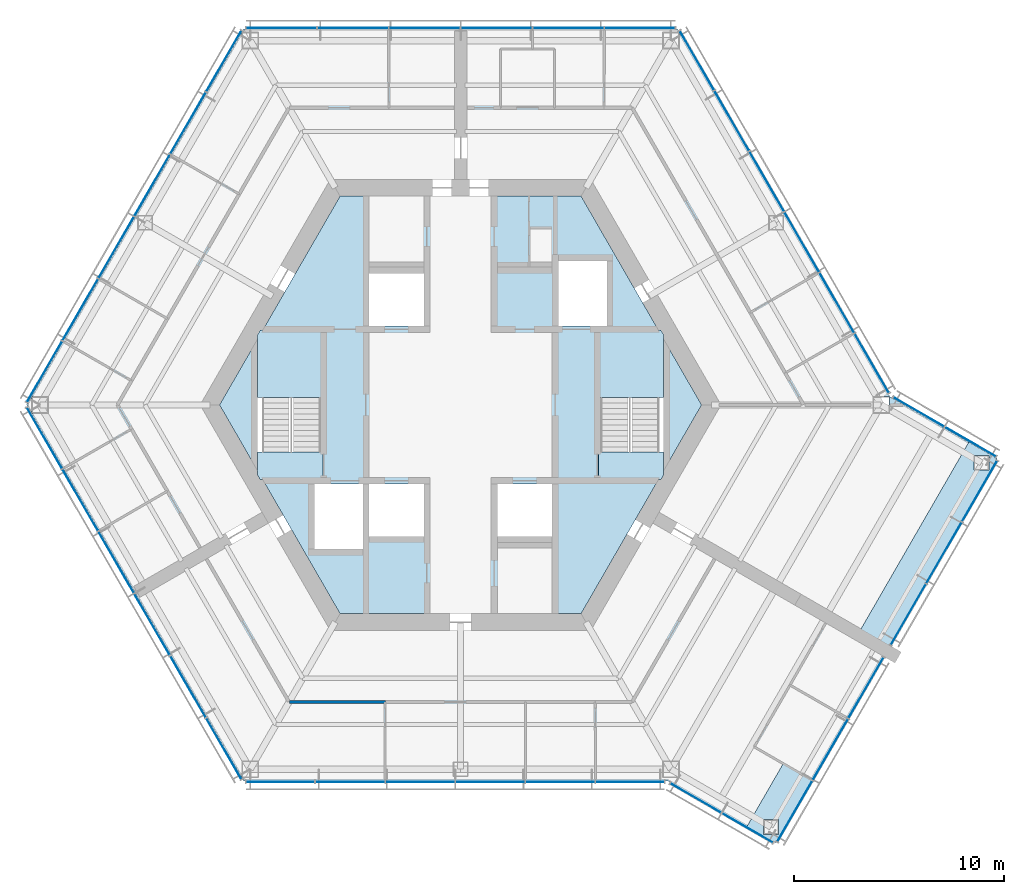
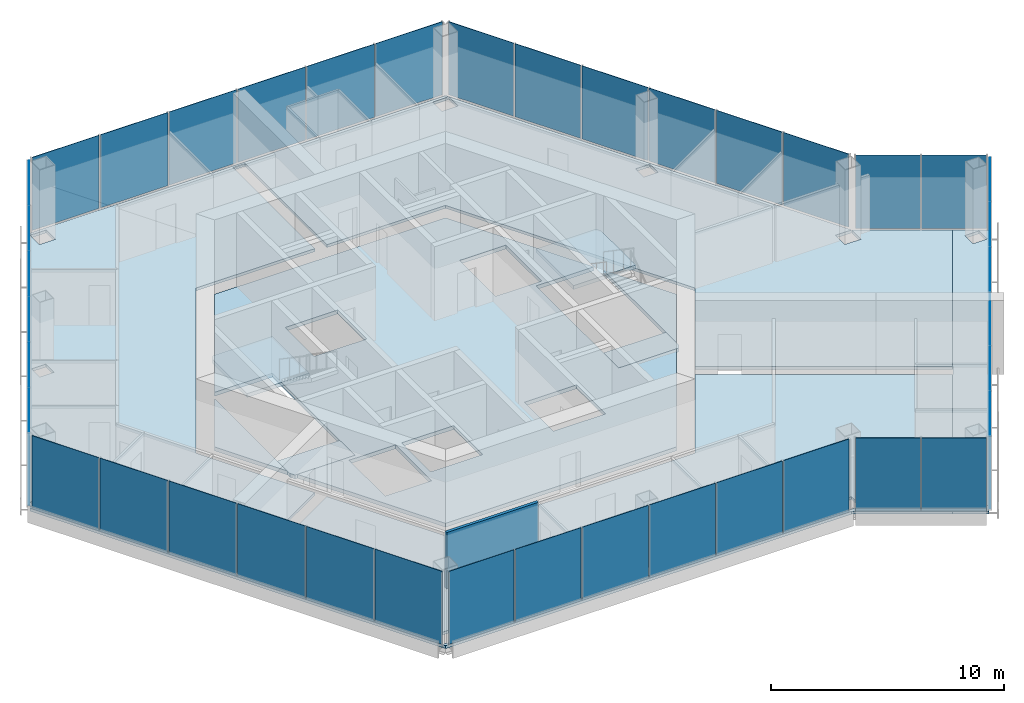
# One storey, part 6 of 13: 40 plates, 9 slabs, 1 wall, 11 elements without a shape of their own.
"""IFC4 building model written with IfcOpenShell, lengths in metres."""

import ifcopenshell
import ifcopenshell.guid

model = None  # the IFC model being written
_history = None  # IfcOwnerHistory: only IFC2X3 demands one
_inside = {}  # id of a spatial element -> (the spatial element, [elements in it])
_under = {}  # id of a project, library or spatial element -> (it, [spatial elements below it])
_declared = {}  # id of a project -> (the project, [libraries it declares])
_typed = {}  # id of a type object -> (the type object, [elements of that type])
_made_of = {}  # id of a material, layer set ... -> (it, [elements and type objects made of it])


def new_model(schema):
    """Start an empty IFC model of exactly this schema.

    Asked for "IFC4X3", IfcOpenShell would pick the latest addendum, in which some entities
    have other attributes; the version numbers below select the first issue.
    IFC2X3 requires an IfcOwnerHistory on every rooted entity: one is made here for all.
    """
    global model, _history
    if schema == "IFC4X3":
        model = ifcopenshell.file(schema_version=(4, 3, 0, 0))
    else:
        model = ifcopenshell.file(schema=schema)
    _inside.clear()
    _under.clear()
    _declared.clear()
    _typed.clear()
    _made_of.clear()
    _history = None
    if model.schema == "IFC2X3":
        org = make("IfcOrganization", Name="unknown")
        user = make(
            "IfcPersonAndOrganization",
            ThePerson=make("IfcPerson", FamilyName="unknown"),
            TheOrganization=org,
        )
        app = make(
            "IfcApplication",
            ApplicationDeveloper=org,
            Version="unknown",
            ApplicationFullName="unknown",
            ApplicationIdentifier="unknown",
        )
        _history = make(
            "IfcOwnerHistory",
            OwningUser=user,
            OwningApplication=app,
            ChangeAction="ADDED",
            CreationDate=0,
        )
    return model


def make(cls, **values):
    """One entity of the class cls with the attributes given. An attribute that is None is left unset."""
    return model.create_entity(
        cls, **{name: value for name, value in values.items() if value is not None}
    )


def rooted(cls, **values):
    """An entity with a GlobalId (a new one), such as an element, a storey or a relation."""
    return make(cls, GlobalId=ifcopenshell.guid.new(), OwnerHistory=_history, **values)


def si_unit(unit_type, name, prefix=None):
    """IfcSIUnit, for example si_unit("LENGTHUNIT", "METRE", prefix="MILLI")."""
    return make("IfcSIUnit", UnitType=unit_type, Prefix=prefix, Name=name)


def assignment(units):
    """IfcUnitAssignment: the units of a project."""
    return None if units is None else make("IfcUnitAssignment", Units=units)


def point(xyz):
    """IfcCartesianPoint."""
    return None if xyz is None else make("IfcCartesianPoint", Coordinates=xyz)


def direction(xyz):
    """IfcDirection."""
    return None if xyz is None else make("IfcDirection", DirectionRatios=xyz)


def frame(location, z_axis=None, x_axis=None):
    """IfcAxis2Placement3D, a coordinate frame: its origin and axes. An axis left out is left unset."""
    return make(
        "IfcAxis2Placement3D",
        Location=point(location),
        Axis=direction(z_axis),
        RefDirection=direction(x_axis),
    )


def frame_2d(location, x_axis=None):
    """IfcAxis2Placement2D, a coordinate frame in the plane: its origin and x axis."""
    return make(
        "IfcAxis2Placement2D", Location=point(location), RefDirection=direction(x_axis)
    )


def origin():
    """The frame at (0, 0, 0) with its axes left unset."""
    return frame((0.0, 0.0, 0.0))


def origin_2d():
    """The frame at (0, 0) in the plane with its x axis left unset."""
    return frame_2d((0.0, 0.0))


def place(relative_to, where):
    """IfcLocalPlacement: puts the frame where relative to a parent placement (None: the world)."""
    return make(
        "IfcLocalPlacement", PlacementRelTo=relative_to, RelativePlacement=where
    )


def context(
    kind, dimensions, precision=None, world=None, true_north=None, identifier=None
):
    """IfcGeometricRepresentationContext, for example the 3D "Model" context."""
    return make(
        "IfcGeometricRepresentationContext",
        ContextIdentifier=identifier,
        ContextType=kind,
        CoordinateSpaceDimension=dimensions,
        Precision=precision,
        WorldCoordinateSystem=world,
        TrueNorth=true_north,
    )


def subcontext(parent, identifier, kind, view, scale=None):
    """IfcGeometricRepresentationSubContext, for example "Body" below "Model"."""
    return make(
        "IfcGeometricRepresentationSubContext",
        ContextIdentifier=identifier,
        ContextType=kind,
        ParentContext=parent,
        TargetScale=scale,
        TargetView=view,
    )


def project(units=None, contexts=None):
    """IfcProject with its units and contexts."""
    return rooted(
        "IfcProject",
        Name="project",
        RepresentationContexts=contexts,
        UnitsInContext=assignment(units),
    )


def spatial(cls, under=None, at=None, **own):
    """A site, building, storey or space (cls), placed at a placement, below another one or the project."""
    s = rooted(cls, ObjectPlacement=at, **own)
    if under is not None:
        _under.setdefault(under.id(), (under, []))[1].append(s)
    return s


def polyline(points):
    """IfcPolyline through the points."""
    return make("IfcPolyline", Points=[point(p) for p in points])


def profile(cls, at=None, kind="AREA", **sizes):
    """A parametric profile (cls). Its sizes go by their IFC names, for example OverallWidth=200.0."""
    return make(cls, ProfileType=kind, Position=at, **sizes)


def rectangle(**sizes):
    """IfcRectangleProfileDef."""
    return profile("IfcRectangleProfileDef", **sizes)


def outline(outer, holes=None, kind="AREA"):
    """IfcArbitraryClosedProfileDef: a profile drawn as a closed curve; with holes, ...WithVoids."""
    if holes is None:
        return make("IfcArbitraryClosedProfileDef", ProfileType=kind, OuterCurve=outer)
    return make(
        "IfcArbitraryProfileDefWithVoids",
        ProfileType=kind,
        OuterCurve=outer,
        InnerCurves=holes,
    )


def extrude(swept, where, along, depth):
    """IfcExtrudedAreaSolid: the profile swept, set in the frame where, extruded along a direction by depth."""
    return make(
        "IfcExtrudedAreaSolid",
        SweptArea=swept,
        Position=where,
        ExtrudedDirection=direction(along),
        Depth=depth,
    )


def shape(context_of_items, identifier, shape_type, items):
    """IfcShapeRepresentation: the items that make up one representation, for example the "Body"."""
    return make(
        "IfcShapeRepresentation",
        ContextOfItems=context_of_items,
        RepresentationIdentifier=identifier,
        RepresentationType=shape_type,
        Items=items,
    )


def material(Name=None, Category=None):
    """IfcMaterial."""
    return make("IfcMaterial", Name=Name, Category=Category)


def layer(
    of_material, thickness, ventilated=None, Name=None, Category=None, Priority=None
):
    """IfcMaterialLayer: one layer of a wall or slab, of a material (None: an air gap)."""
    return make(
        "IfcMaterialLayer",
        Material=of_material,
        LayerThickness=thickness,
        IsVentilated=ventilated,
        Name=Name,
        Category=Category,
        Priority=Priority,
    )


def layer_set(layers, Name=None):
    """IfcMaterialLayerSet."""
    return make("IfcMaterialLayerSet", MaterialLayers=layers, LayerSetName=Name)


def made_of(thing, what):
    """Note that an element or type object is made of a material, layer set ...; save() writes the relation."""
    if what is not None:
        _made_of.setdefault(what.id(), (what, []))[1].append(thing)
    return thing


def type_object(cls, material=None, **own):
    """A type object (cls), such as IfcWallType, which elements share."""
    return made_of(rooted(cls, **own), material)


def element(
    cls,
    number,
    at=None,
    inside=None,
    cuts=None,
    type_object=None,
    material=None,
    context=None,
    identifier="Body",
    shape_type=None,
    held_by="IfcProductDefinitionShape",
    body=None,
    shapes=None,
    **own,
):
    """One element of the class cls, such as IfcWall. Its Tag is "e" and its number.

    at: its placement. inside: the storey or other place that contains it. cuts: it is an
    opening in that element (IfcRelVoidsElement). A single representation is given by context,
    identifier, shape_type and body (its items); several are given by shapes. held_by: the class
    of the entity that holds the representations. save() writes the other relations.
    """
    e = rooted(cls, Tag="e%d" % number, ObjectPlacement=at, **own)
    if body is not None:
        shapes = [shape(context, identifier, shape_type, body)]
    if shapes is not None:
        e.Representation = make(held_by, Representations=shapes)
    if inside is not None:
        _inside.setdefault(inside.id(), (inside, []))[1].append(e)
    if cuts is not None:
        rooted(
            "IfcRelVoidsElement", RelatingBuildingElement=cuts, RelatedOpeningElement=e
        )
    if type_object is not None:
        _typed.setdefault(type_object.id(), (type_object, []))[1].append(e)
    return made_of(e, material)


def aggregate(whole, parts):
    """IfcRelAggregates: a whole, such as a stair, and the parts it consists of."""
    return rooted("IfcRelAggregates", RelatingObject=whole, RelatedObjects=parts)


def save(model, path):
    """Write the relations noted so far, then the file.

    IfcRelAggregates (storeys below a building ...), IfcRelContainedInSpatialStructure (elements
    in a storey), IfcRelDefinesByType, IfcRelAssociatesMaterial and IfcRelDeclares: one each for
    every whole, place, type object, material and project.
    """
    for whole, parts in _under.values():
        aggregate(whole, parts)
    for where, things in _inside.values():
        rooted(
            "IfcRelContainedInSpatialStructure",
            RelatedElements=things,
            RelatingStructure=where,
        )
    for kind, things in _typed.values():
        rooted("IfcRelDefinesByType", RelatedObjects=things, RelatingType=kind)
    for what, things in _made_of.values():
        rooted("IfcRelAssociatesMaterial", RelatedObjects=things, RelatingMaterial=what)
    for by, libraries in _declared.values():
        rooted("IfcRelDeclares", RelatingContext=by, RelatedDefinitions=libraries)
    model.write(path)


model = new_model("IFC4")

# Units and contexts
model_context = context("Model", 3, precision=1e-05, world=origin(), true_north=direction((0.0, 1.0)))
body_context = subcontext(model_context, "Body", "Model", "MODEL_VIEW")
ifc_project = project(units=[si_unit("LENGTHUNIT", "METRE"), si_unit("AREAUNIT", "SQUARE_METRE"), si_unit("VOLUMEUNIT", "CUBIC_METRE"), si_unit("PLANEANGLEUNIT", "RADIAN"), si_unit("MASSUNIT", "GRAM", prefix="KILO")], contexts=[model_context])

# Site, building, storey
site_placement = place(None, origin())
site = spatial("IfcSite", under=ifc_project, at=site_placement, CompositionType="ELEMENT")
building_placement = place(site_placement, origin())
building = spatial("IfcBuilding", under=site, at=building_placement, Name="Kasaneha Research Tower", CompositionType="ELEMENT")
storey_placement = place(building_placement, frame((0.0, 0.0, 286.89990234375)))
storey = spatial("IfcBuildingStorey", under=building, at=storey_placement, Name="L72", CompositionType="ELEMENT", Elevation=286.89990234375)

# Curtain wall, plates
ifc_material_1 = material(Name="Glass and aluminium", Category="aluminium")
curtain_wall_type = type_object("IfcCurtainWallType", Name="Crown curtain wall", PredefinedType="USERDEFINED", material=ifc_material_1)
curtain_wall_1_placement = place(storey_placement, origin())
curtain_wall_1 = element("IfcCurtainWall", 1, at=curtain_wall_1_placement, inside=storey, type_object=curtain_wall_type, Name="CW-C L72 run 01a", ObjectType="UNITISED CURTAIN WALL", PredefinedType="USERDEFINED")
ifc_material_2 = material(Name="Laminated double glazing", Category="glass")
ifc_layer_1 = layer(ifc_material_2, 0.02587890625)
ifc_layer_set_1 = layer_set([ifc_layer_1], Name="CW-C glazed panel")
plate_type = type_object("IfcPlateType", Name="CW-C glazed panel", PredefinedType="CURTAIN_PANEL", material=ifc_layer_set_1)
plate_1_placement = place(storey_placement, frame((19.549072265625, 1.981201171875, 0.06005859375), z_axis=(0.0, 0.0, 1.0), x_axis=(-0.499999979232, 0.866025415775, 0.0)))
plate_1 = element("IfcPlate", 2, at=plate_1_placement, type_object=plate_type, Name="CW-C panel 1", PredefinedType="CURTAIN_PANEL", context=body_context, shape_type="SweptSolid", body=[
    extrude(rectangle(XDim=3.240966796875, YDim=0.02587890625, at=origin_2d()), origin(), (0.0, 0.0, 1.0), 3.840087890625),
])
plate_2_placement = place(storey_placement, frame((17.89111328125, 4.852783203125, 0.06005859375), z_axis=(0.0, 0.0, 1.0), x_axis=(-0.499999979232, 0.866025415775, 0.0)))
plate_2 = element("IfcPlate", 3, at=plate_2_placement, type_object=plate_type, Name="CW-C panel 2", PredefinedType="CURTAIN_PANEL", context=body_context, shape_type="SweptSolid", body=[
    extrude(rectangle(XDim=3.27099609375, YDim=0.02587890625, at=origin_2d()), origin(), (0.0, 0.0, 1.0), 3.840087890625),
])
plate_3_placement = place(storey_placement, frame((16.2255859375, 7.737548828125, 0.06005859375), z_axis=(0.0, 0.0, 1.0), x_axis=(-0.499999979232, 0.866025415775, 0.0)))
plate_3 = element("IfcPlate", 4, at=plate_3_placement, type_object=plate_type, Name="CW-C panel 3", PredefinedType="CURTAIN_PANEL", context=body_context, shape_type="SweptSolid", body=[
    extrude(rectangle(XDim=3.27099609375, YDim=0.02587890625, at=origin_2d()), origin(), (0.0, 0.0, 1.0), 3.840087890625),
])
plate_4_placement = place(storey_placement, frame((14.56005859375, 10.622314453125, 0.06005859375), z_axis=(0.0, 0.0, 1.0), x_axis=(-0.499999979232, 0.866025415775, 0.0)))
plate_4 = element("IfcPlate", 5, at=plate_4_placement, type_object=plate_type, Name="CW-C panel 4", PredefinedType="CURTAIN_PANEL", context=body_context, shape_type="SweptSolid", body=[
    extrude(rectangle(XDim=3.27099609375, YDim=0.02587890625, at=origin_2d()), origin(), (0.0, 0.0, 1.0), 3.840087890625),
])
plate_5_placement = place(storey_placement, frame((12.89453125, 13.5068359375, 0.06005859375), z_axis=(0.0, 0.0, 1.0), x_axis=(-0.499999979232, 0.866025415775, 0.0)))
plate_5 = element("IfcPlate", 6, at=plate_5_placement, type_object=plate_type, Name="CW-C panel 5", PredefinedType="CURTAIN_PANEL", context=body_context, shape_type="SweptSolid", body=[
    extrude(rectangle(XDim=3.27099609375, YDim=0.02587890625, at=origin_2d()), origin(), (0.0, 0.0, 1.0), 3.840087890625),
])
plate_6_placement = place(storey_placement, frame((11.236572265625, 16.378662109375, 0.06005859375), z_axis=(0.0, 0.0, 1.0), x_axis=(-0.499999979232, 0.866025415775, 0.0)))
plate_6 = element("IfcPlate", 7, at=plate_6_placement, type_object=plate_type, Name="CW-C panel 6", PredefinedType="CURTAIN_PANEL", context=body_context, shape_type="SweptSolid", body=[
    extrude(rectangle(XDim=3.240966796875, YDim=0.02587890625, at=origin_2d()), origin(), (0.0, 0.0, 1.0), 3.840087890625),
])
aggregate(curtain_wall_1, [plate_1, plate_2, plate_3, plate_4, plate_5, plate_6])

curtain_wall_2_placement = place(storey_placement, origin())
curtain_wall_2 = element("IfcCurtainWall", 8, at=curtain_wall_2_placement, inside=storey, type_object=curtain_wall_type, Name="CW-C L72 run 02a", ObjectType="UNITISED CURTAIN WALL", PredefinedType="USERDEFINED")
plate_7_placement = place(storey_placement, frame((8.523681640625, 17.92041015625, 0.06005859375), z_axis=(0.0, 0.0, 1.0), x_axis=(-1.0, 0.0, 0.0)))
plate_7 = element("IfcPlate", 9, at=plate_7_placement, type_object=plate_type, Name="CW-C panel 1", PredefinedType="CURTAIN_PANEL", context=body_context, shape_type="SweptSolid", body=[
    extrude(rectangle(XDim=3.325439453125, YDim=0.02587890625, at=origin_2d()), origin(), (0.0, 0.0, 1.0), 3.840087890625),
])
plate_8_placement = place(storey_placement, frame((5.123291015625, 17.92041015625, 0.06005859375), z_axis=(0.0, 0.0, 1.0), x_axis=(-1.0, 0.0, 0.0)))
plate_8 = element("IfcPlate", 10, at=plate_8_placement, type_object=plate_type, Name="CW-C panel 2", PredefinedType="CURTAIN_PANEL", context=body_context, shape_type="SweptSolid", body=[
    extrude(rectangle(XDim=3.35546875, YDim=0.02587890625, at=origin_2d()), origin(), (0.0, 0.0, 1.0), 3.840087890625),
])
plate_9_placement = place(storey_placement, frame((1.707763671875, 17.92041015625, 0.06005859375), z_axis=(0.0, 0.0, 1.0), x_axis=(-1.0, 0.0, 0.0)))
plate_9 = element("IfcPlate", 11, at=plate_9_placement, type_object=plate_type, Name="CW-C panel 3", PredefinedType="CURTAIN_PANEL", context=body_context, shape_type="SweptSolid", body=[
    extrude(rectangle(XDim=3.35546875, YDim=0.02587890625, at=origin_2d()), origin(), (0.0, 0.0, 1.0), 3.840087890625),
])
plate_10_placement = place(storey_placement, frame((-1.707763671875, 17.92041015625, 0.06005859375), z_axis=(0.0, 0.0, 1.0), x_axis=(-1.0, 0.0, 0.0)))
plate_10 = element("IfcPlate", 12, at=plate_10_placement, type_object=plate_type, Name="CW-C panel 4", PredefinedType="CURTAIN_PANEL", context=body_context, shape_type="SweptSolid", body=[
    extrude(rectangle(XDim=3.35546875, YDim=0.02587890625, at=origin_2d()), origin(), (0.0, 0.0, 1.0), 3.840087890625),
])
plate_11_placement = place(storey_placement, frame((-5.123291015625, 17.92041015625, 0.06005859375), z_axis=(0.0, 0.0, 1.0), x_axis=(-1.0, 0.0, 0.0)))
plate_11 = element("IfcPlate", 13, at=plate_11_placement, type_object=plate_type, Name="CW-C panel 5", PredefinedType="CURTAIN_PANEL", context=body_context, shape_type="SweptSolid", body=[
    extrude(rectangle(XDim=3.35546875, YDim=0.02587890625, at=origin_2d()), origin(), (0.0, 0.0, 1.0), 3.840087890625),
])
plate_12_placement = place(storey_placement, frame((-8.523681640625, 17.92041015625, 0.06005859375), z_axis=(0.0, 0.0, 1.0), x_axis=(-1.0, 0.0, 0.0)))
plate_12 = element("IfcPlate", 14, at=plate_12_placement, type_object=plate_type, Name="CW-C panel 6", PredefinedType="CURTAIN_PANEL", context=body_context, shape_type="SweptSolid", body=[
    extrude(rectangle(XDim=3.325439453125, YDim=0.02587890625, at=origin_2d()), origin(), (0.0, 0.0, 1.0), 3.840087890625),
])
aggregate(curtain_wall_2, [plate_7, plate_8, plate_9, plate_10, plate_11, plate_12])

curtain_wall_3_placement = place(storey_placement, origin())
curtain_wall_3 = element("IfcCurtainWall", 15, at=curtain_wall_3_placement, inside=storey, type_object=curtain_wall_type, Name="CW-C L72 run 03a", ObjectType="UNITISED CURTAIN WALL", PredefinedType="USERDEFINED")
plate_13_placement = place(storey_placement, frame((-11.2578125, 16.342041015625, 0.06005859375), z_axis=(0.0, 0.0, 1.0), x_axis=(-0.499999995722, -0.866025406254, 0.0)))
plate_13 = element("IfcPlate", 16, at=plate_13_placement, type_object=plate_type, Name="CW-C panel 1", PredefinedType="CURTAIN_PANEL", context=body_context, shape_type="SweptSolid", body=[
    extrude(rectangle(XDim=3.325439453125, YDim=0.02587890625, at=origin_2d()), origin(), (0.0, 0.0, 1.0), 3.840087890625),
])
plate_14_placement = place(storey_placement, frame((-12.9580078125, 13.39697265625, 0.06005859375), z_axis=(0.0, 0.0, 1.0), x_axis=(-0.499999995722, -0.866025406254, 0.0)))
plate_14 = element("IfcPlate", 17, at=plate_14_placement, type_object=plate_type, Name="CW-C panel 2", PredefinedType="CURTAIN_PANEL", context=body_context, shape_type="SweptSolid", body=[
    extrude(rectangle(XDim=3.35546875, YDim=0.02587890625, at=origin_2d()), origin(), (0.0, 0.0, 1.0), 3.840087890625),
])
plate_15_placement = place(storey_placement, frame((-14.665771484375, 10.439208984375, 0.06005859375), z_axis=(0.0, 0.0, 1.0), x_axis=(-0.499999995722, -0.866025406254, 0.0)))
plate_15 = element("IfcPlate", 18, at=plate_15_placement, type_object=plate_type, Name="CW-C panel 3", PredefinedType="CURTAIN_PANEL", context=body_context, shape_type="SweptSolid", body=[
    extrude(rectangle(XDim=3.35546875, YDim=0.02587890625, at=origin_2d()), origin(), (0.0, 0.0, 1.0), 3.840087890625),
])
plate_16_placement = place(storey_placement, frame((-16.37353515625, 7.481201171875, 0.06005859375), z_axis=(0.0, 0.0, 1.0), x_axis=(-0.499999995722, -0.866025406254, 0.0)))
plate_16 = element("IfcPlate", 19, at=plate_16_placement, type_object=plate_type, Name="CW-C panel 4", PredefinedType="CURTAIN_PANEL", context=body_context, shape_type="SweptSolid", body=[
    extrude(rectangle(XDim=3.35546875, YDim=0.02587890625, at=origin_2d()), origin(), (0.0, 0.0, 1.0), 3.840087890625),
])
plate_17_placement = place(storey_placement, frame((-18.081298828125, 4.5234375, 0.06005859375), z_axis=(0.0, 0.0, 1.0), x_axis=(-0.499999995722, -0.866025406254, 0.0)))
plate_17 = element("IfcPlate", 20, at=plate_17_placement, type_object=plate_type, Name="CW-C panel 5", PredefinedType="CURTAIN_PANEL", context=body_context, shape_type="SweptSolid", body=[
    extrude(rectangle(XDim=3.35546875, YDim=0.02587890625, at=origin_2d()), origin(), (0.0, 0.0, 1.0), 3.840087890625),
])
plate_18_placement = place(storey_placement, frame((-19.781494140625, 1.57861328125, 0.06005859375), z_axis=(0.0, 0.0, 1.0), x_axis=(-0.499999995722, -0.866025406254, 0.0)))
plate_18 = element("IfcPlate", 21, at=plate_18_placement, type_object=plate_type, Name="CW-C panel 6", PredefinedType="CURTAIN_PANEL", context=body_context, shape_type="SweptSolid", body=[
    extrude(rectangle(XDim=3.325439453125, YDim=0.02587890625, at=origin_2d()), origin(), (0.0, 0.0, 1.0), 3.840087890625),
])
aggregate(curtain_wall_3, [plate_13, plate_14, plate_15, plate_16, plate_17, plate_18])

curtain_wall_4_placement = place(storey_placement, origin())
curtain_wall_4 = element("IfcCurtainWall", 22, at=curtain_wall_4_placement, inside=storey, type_object=curtain_wall_type, Name="CW-C L72 run 04a", ObjectType="UNITISED CURTAIN WALL", PredefinedType="USERDEFINED")
plate_19_placement = place(storey_placement, frame((-19.781494140625, -1.57861328125, 0.06005859375), z_axis=(0.0, 0.0, 1.0), x_axis=(0.499999995722, -0.866025406254, 0.0)))
plate_19 = element("IfcPlate", 23, at=plate_19_placement, type_object=plate_type, Name="CW-C panel 1", PredefinedType="CURTAIN_PANEL", context=body_context, shape_type="SweptSolid", body=[
    extrude(rectangle(XDim=3.325439453125, YDim=0.02587890625, at=origin_2d()), origin(), (0.0, 0.0, 1.0), 3.840087890625),
])
plate_20_placement = place(storey_placement, frame((-18.081298828125, -4.5234375, 0.06005859375), z_axis=(0.0, 0.0, 1.0), x_axis=(0.499999995722, -0.866025406254, 0.0)))
plate_20 = element("IfcPlate", 24, at=plate_20_placement, type_object=plate_type, Name="CW-C panel 2", PredefinedType="CURTAIN_PANEL", context=body_context, shape_type="SweptSolid", body=[
    extrude(rectangle(XDim=3.35546875, YDim=0.02587890625, at=origin_2d()), origin(), (0.0, 0.0, 1.0), 3.840087890625),
])
plate_21_placement = place(storey_placement, frame((-16.37353515625, -7.481201171875, 0.06005859375), z_axis=(0.0, 0.0, 1.0), x_axis=(0.499999995722, -0.866025406254, 0.0)))
plate_21 = element("IfcPlate", 25, at=plate_21_placement, type_object=plate_type, Name="CW-C panel 3", PredefinedType="CURTAIN_PANEL", context=body_context, shape_type="SweptSolid", body=[
    extrude(rectangle(XDim=3.35546875, YDim=0.02587890625, at=origin_2d()), origin(), (0.0, 0.0, 1.0), 3.840087890625),
])
plate_22_placement = place(storey_placement, frame((-14.665771484375, -10.439208984375, 0.06005859375), z_axis=(0.0, 0.0, 1.0), x_axis=(0.499999995722, -0.866025406254, 0.0)))
plate_22 = element("IfcPlate", 26, at=plate_22_placement, type_object=plate_type, Name="CW-C panel 4", PredefinedType="CURTAIN_PANEL", context=body_context, shape_type="SweptSolid", body=[
    extrude(rectangle(XDim=3.35546875, YDim=0.02587890625, at=origin_2d()), origin(), (0.0, 0.0, 1.0), 3.840087890625),
])
plate_23_placement = place(storey_placement, frame((-12.9580078125, -13.39697265625, 0.06005859375), z_axis=(0.0, 0.0, 1.0), x_axis=(0.499999995722, -0.866025406254, 0.0)))
plate_23 = element("IfcPlate", 27, at=plate_23_placement, type_object=plate_type, Name="CW-C panel 5", PredefinedType="CURTAIN_PANEL", context=body_context, shape_type="SweptSolid", body=[
    extrude(rectangle(XDim=3.35546875, YDim=0.02587890625, at=origin_2d()), origin(), (0.0, 0.0, 1.0), 3.840087890625),
])
plate_24_placement = place(storey_placement, frame((-11.2578125, -16.342041015625, 0.06005859375), z_axis=(0.0, 0.0, 1.0), x_axis=(0.499999995722, -0.866025406254, 0.0)))
plate_24 = element("IfcPlate", 28, at=plate_24_placement, type_object=plate_type, Name="CW-C panel 6", PredefinedType="CURTAIN_PANEL", context=body_context, shape_type="SweptSolid", body=[
    extrude(rectangle(XDim=3.325439453125, YDim=0.02587890625, at=origin_2d()), origin(), (0.0, 0.0, 1.0), 3.840087890625),
])
aggregate(curtain_wall_4, [plate_19, plate_20, plate_21, plate_22, plate_23, plate_24])

curtain_wall_5_placement = place(storey_placement, origin())
curtain_wall_5 = element("IfcCurtainWall", 29, at=curtain_wall_5_placement, inside=storey, type_object=curtain_wall_type, Name="CW-C L72 run 05a", ObjectType="UNITISED CURTAIN WALL", PredefinedType="USERDEFINED")
plate_25_placement = place(storey_placement, frame((-8.56591796875, -17.92041015625, 0.06005859375), z_axis=(0.0, 0.0, 1.0), x_axis=(1.0, 0.0, 0.0)))
plate_25 = element("IfcPlate", 30, at=plate_25_placement, type_object=plate_type, Name="CW-C panel 1", PredefinedType="CURTAIN_PANEL", context=body_context, shape_type="SweptSolid", body=[
    extrude(rectangle(XDim=3.240966796875, YDim=0.02587890625, at=origin_2d()), origin(), (0.0, 0.0, 1.0), 3.840087890625),
])
plate_26_placement = place(storey_placement, frame((-5.25, -17.92041015625, 0.06005859375), z_axis=(0.0, 0.0, 1.0), x_axis=(1.0, 0.0, 0.0)))
plate_26 = element("IfcPlate", 31, at=plate_26_placement, type_object=plate_type, Name="CW-C panel 2", PredefinedType="CURTAIN_PANEL", context=body_context, shape_type="SweptSolid", body=[
    extrude(rectangle(XDim=3.27099609375, YDim=0.02587890625, at=origin_2d()), origin(), (0.0, 0.0, 1.0), 3.840087890625),
])
plate_27_placement = place(storey_placement, frame((-1.9189453125, -17.92041015625, 0.06005859375), z_axis=(0.0, 0.0, 1.0), x_axis=(1.0, 0.0, 0.0)))
plate_27 = element("IfcPlate", 32, at=plate_27_placement, type_object=plate_type, Name="CW-C panel 3", PredefinedType="CURTAIN_PANEL", context=body_context, shape_type="SweptSolid", body=[
    extrude(rectangle(XDim=3.27099609375, YDim=0.02587890625, at=origin_2d()), origin(), (0.0, 0.0, 1.0), 3.840087890625),
])
plate_28_placement = place(storey_placement, frame((1.411865234375, -17.92041015625, 0.06005859375), z_axis=(0.0, 0.0, 1.0), x_axis=(1.0, 0.0, 0.0)))
plate_28 = element("IfcPlate", 33, at=plate_28_placement, type_object=plate_type, Name="CW-C panel 4", PredefinedType="CURTAIN_PANEL", context=body_context, shape_type="SweptSolid", body=[
    extrude(rectangle(XDim=3.27099609375, YDim=0.02587890625, at=origin_2d()), origin(), (0.0, 0.0, 1.0), 3.840087890625),
])
plate_29_placement = place(storey_placement, frame((4.742919921875, -17.92041015625, 0.06005859375), z_axis=(0.0, 0.0, 1.0), x_axis=(1.0, 0.0, 0.0)))
plate_29 = element("IfcPlate", 34, at=plate_29_placement, type_object=plate_type, Name="CW-C panel 5", PredefinedType="CURTAIN_PANEL", context=body_context, shape_type="SweptSolid", body=[
    extrude(rectangle(XDim=3.27099609375, YDim=0.02587890625, at=origin_2d()), origin(), (0.0, 0.0, 1.0), 3.840087890625),
])
plate_30_placement = place(storey_placement, frame((8.058837890625, -17.92041015625, 0.06005859375), z_axis=(0.0, 0.0, 1.0), x_axis=(1.0, 0.0, 0.0)))
plate_30 = element("IfcPlate", 35, at=plate_30_placement, type_object=plate_type, Name="CW-C panel 6", PredefinedType="CURTAIN_PANEL", context=body_context, shape_type="SweptSolid", body=[
    extrude(rectangle(XDim=3.240966796875, YDim=0.02587890625, at=origin_2d()), origin(), (0.0, 0.0, 1.0), 3.840087890625),
])
aggregate(curtain_wall_5, [plate_25, plate_26, plate_27, plate_28, plate_29, plate_30])

curtain_wall_6_placement = place(storey_placement, origin())
curtain_wall_6 = element("IfcCurtainWall", 36, at=curtain_wall_6_placement, inside=storey, type_object=curtain_wall_type, Name="CW-C L72 run 06a", ObjectType="UNITISED CURTAIN WALL", PredefinedType="USERDEFINED")
plate_31_placement = place(storey_placement, frame((11.181396484375, -18.6953125, 0.06005859375), z_axis=(0.0, 0.0, 1.0), x_axis=(0.866025443395, -0.499999931393, 0.0)))
plate_31 = element("IfcPlate", 37, at=plate_31_placement, type_object=plate_type, Name="CW-C panel 1", PredefinedType="CURTAIN_PANEL", context=body_context, shape_type="SweptSolid", body=[
    extrude(rectangle(XDim=2.779541015625, YDim=0.02587890625, at=origin_2d()), origin(), (0.0, 0.0, 1.0), 3.840087890625),
])
plate_32_placement = place(storey_placement, frame((13.640625, -20.115234375, 0.06005859375), z_axis=(0.0, 0.0, 1.0), x_axis=(0.866025443395, -0.499999931393, 0.0)))
plate_32 = element("IfcPlate", 38, at=plate_32_placement, type_object=plate_type, Name="CW-C panel 2", PredefinedType="CURTAIN_PANEL", context=body_context, shape_type="SweptSolid", body=[
    extrude(rectangle(XDim=2.779541015625, YDim=0.02587890625, at=origin_2d()), origin(), (0.0, 0.0, 1.0), 3.840087890625),
])
aggregate(curtain_wall_6, [plate_31, plate_32])

curtain_wall_7_placement = place(storey_placement, origin())
curtain_wall_7 = element("IfcCurtainWall", 39, at=curtain_wall_7_placement, inside=storey, type_object=curtain_wall_type, Name="CW-C L72 run 07a", ObjectType="UNITISED CURTAIN WALL", PredefinedType="USERDEFINED")
plate_33_placement = place(storey_placement, frame((15.89013671875, -19.318359375, 0.06005859375), z_axis=(0.0, 0.0, 1.0), x_axis=(0.500000011442, 0.866025397178, 0.0)))
plate_33 = element("IfcPlate", 40, at=plate_33_placement, type_object=plate_type, Name="CW-C panel 1", PredefinedType="CURTAIN_PANEL", context=body_context, shape_type="SweptSolid", body=[
    extrude(rectangle(XDim=3.31005859375, YDim=0.02587890625, at=origin_2d()), origin(), (0.0, 0.0, 1.0), 3.840087890625),
])
plate_34_placement = place(storey_placement, frame((17.582763671875, -16.38671875, 0.06005859375), z_axis=(0.0, 0.0, 1.0), x_axis=(0.500000011442, 0.866025397178, 0.0)))
plate_34 = element("IfcPlate", 41, at=plate_34_placement, type_object=plate_type, Name="CW-C panel 2", PredefinedType="CURTAIN_PANEL", context=body_context, shape_type="SweptSolid", body=[
    extrude(rectangle(XDim=3.340087890625, YDim=0.02587890625, at=origin_2d()), origin(), (0.0, 0.0, 1.0), 3.840087890625),
])
plate_35_placement = place(storey_placement, frame((19.275146484375, -13.455322265625, 0.06005859375), z_axis=(0.0, 0.0, 1.0), x_axis=(0.500000011442, 0.866025397178, 0.0)))
plate_35 = element("IfcPlate", 42, at=plate_35_placement, type_object=plate_type, Name="CW-C panel 3", PredefinedType="CURTAIN_PANEL", context=body_context, shape_type="SweptSolid", body=[
    extrude(rectangle(XDim=3.31005859375, YDim=0.02587890625, at=origin_2d()), origin(), (0.0, 0.0, 1.0), 3.840087890625),
])
aggregate(curtain_wall_7, [plate_33, plate_34, plate_35])

curtain_wall_8_placement = place(storey_placement, origin())
curtain_wall_8 = element("IfcCurtainWall", 43, at=curtain_wall_8_placement, inside=storey, type_object=curtain_wall_type, Name="CW-C L72 run 08a", ObjectType="UNITISED CURTAIN WALL", PredefinedType="USERDEFINED")
plate_36_placement = place(storey_placement, frame((21.290283203125, -9.96533203125, 0.06005859375), z_axis=(0.0, 0.0, 1.0), x_axis=(0.500000011442, 0.866025397178, 0.0)))
plate_36 = element("IfcPlate", 44, at=plate_36_placement, type_object=plate_type, Name="CW-C panel 1", PredefinedType="CURTAIN_PANEL", context=body_context, shape_type="SweptSolid", body=[
    extrude(rectangle(XDim=3.31005859375, YDim=0.02587890625, at=origin_2d()), origin(), (0.0, 0.0, 1.0), 3.840087890625),
])
plate_37_placement = place(storey_placement, frame((22.982666015625, -7.03369140625, 0.06005859375), z_axis=(0.0, 0.0, 1.0), x_axis=(0.500000011442, 0.866025397178, 0.0)))
plate_37 = element("IfcPlate", 45, at=plate_37_placement, type_object=plate_type, Name="CW-C panel 2", PredefinedType="CURTAIN_PANEL", context=body_context, shape_type="SweptSolid", body=[
    extrude(rectangle(XDim=3.340087890625, YDim=0.02587890625, at=origin_2d()), origin(), (0.0, 0.0, 1.0), 3.840087890625),
])
plate_38_placement = place(storey_placement, frame((24.67529296875, -4.102294921875, 0.06005859375), z_axis=(0.0, 0.0, 1.0), x_axis=(0.500000011442, 0.866025397178, 0.0)))
plate_38 = element("IfcPlate", 46, at=plate_38_placement, type_object=plate_type, Name="CW-C panel 3", PredefinedType="CURTAIN_PANEL", context=body_context, shape_type="SweptSolid", body=[
    extrude(rectangle(XDim=3.31005859375, YDim=0.02587890625, at=origin_2d()), origin(), (0.0, 0.0, 1.0), 3.840087890625),
])
aggregate(curtain_wall_8, [plate_36, plate_37, plate_38])

curtain_wall_9_placement = place(storey_placement, origin())
curtain_wall_9 = element("IfcCurtainWall", 47, at=curtain_wall_9_placement, inside=storey, type_object=curtain_wall_type, Name="CW-C L72 run 09a", ObjectType="UNITISED CURTAIN WALL", PredefinedType="USERDEFINED")
plate_39_placement = place(storey_placement, frame((24.240478515625, -1.75537109375, 0.06005859375), z_axis=(0.0, 0.0, 1.0), x_axis=(-0.866025443395, 0.499999931393, 0.0)))
plate_39 = element("IfcPlate", 48, at=plate_39_placement, type_object=plate_type, Name="CW-C panel 1", PredefinedType="CURTAIN_PANEL", context=body_context, shape_type="SweptSolid", body=[
    extrude(rectangle(XDim=2.779541015625, YDim=0.02587890625, at=origin_2d()), origin(), (0.0, 0.0, 1.0), 3.840087890625),
])
plate_40_placement = place(storey_placement, frame((21.781494140625, -0.335693359375, 0.06005859375), z_axis=(0.0, 0.0, 1.0), x_axis=(-0.866025443395, 0.499999931393, 0.0)))
plate_40 = element("IfcPlate", 49, at=plate_40_placement, type_object=plate_type, Name="CW-C panel 2", PredefinedType="CURTAIN_PANEL", context=body_context, shape_type="SweptSolid", body=[
    extrude(rectangle(XDim=2.779541015625, YDim=0.02587890625, at=origin_2d()), origin(), (0.0, 0.0, 1.0), 3.840087890625),
])
aggregate(curtain_wall_9, [plate_39, plate_40])

# Slabs
ifc_material_3 = material(Name="Concrete Fc24", Category="concrete")
ifc_layer_2 = layer(ifc_material_3, 0.199951171875)
ifc_layer_set_2 = layer_set([ifc_layer_2], Name="Core floor slab 200")
slab_type_1 = type_object("IfcSlabType", Name="Core floor slab 200", PredefinedType="FLOOR", material=ifc_layer_set_2)
slab_1_placement = place(storey_placement, frame((0.0, 0.0, -0.199951171875)))
element("IfcSlab", 50, at=slab_1_placement, inside=storey, type_object=slab_type_1, Name="Core slab L72", PredefinedType="FLOOR", context=body_context, shape_type="SweptSolid", body=[
    extrude(outline(polyline([(-11.46044921875, 0.0), (-9.64990234375, 3.1357421875), (-9.64990234375, -3.1357421875), (-11.46044921875, 0.0)])), origin(), (0.0, 0.0, 1.0), 0.199951171875),
])
slab_2_placement = place(storey_placement, frame((0.0, 0.0, -0.199951171875)))
element("IfcSlab", 51, at=slab_2_placement, inside=storey, type_object=slab_type_1, Name="Core slab L72", PredefinedType="FLOOR", context=body_context, shape_type="SweptSolid", body=[
    extrude(outline(polyline([(-5.730224609375, 9.925048828125), (5.730224609375, 9.925048828125), (9.410888671875, 3.550048828125), (6.550048828125, 3.550048828125), (6.550048828125, -3.550048828125), (9.410888671875, -3.550048828125), (5.730224609375, -9.925048828125), (-5.730224609375, -9.925048828125), (-9.410888671875, -3.550048828125), (-6.550048828125, -3.550048828125), (-6.550048828125, 3.550048828125), (-9.410888671875, 3.550048828125), (-5.730224609375, 9.925048828125)]), holes=[polyline([(-6.949951171875, -6.85009765625), (-4.64990234375, -6.85009765625), (-4.64990234375, -3.75), (-6.949951171875, -3.75), (-6.949951171875, -6.85009765625)]), polyline([(-4.35009765625, -3.75), (-4.35009765625, -6.25), (-1.75, -6.25), (-1.75, -3.75), (-4.35009765625, -3.75)]), polyline([(1.75, -3.75), (1.75, -6.25), (4.35009765625, -6.25), (4.35009765625, -3.75), (1.75, -3.75)]), polyline([(-4.35009765625, 6.25), (-4.35009765625, 3.75), (-1.75, 3.75), (-1.75, 6.25), (-4.35009765625, 6.25)]), polyline([(4.64990234375, 6.85009765625), (4.64990234375, 3.75), (6.949951171875, 3.75), (6.949951171875, 6.85009765625), (4.64990234375, 6.85009765625)])]), origin(), (0.0, 0.0, 1.0), 0.199951171875),
])
slab_3_placement = place(storey_placement, frame((0.0, 0.0, -0.199951171875)))
element("IfcSlab", 52, at=slab_3_placement, inside=storey, type_object=slab_type_1, Name="Core slab L72", PredefinedType="FLOOR", context=body_context, shape_type="SweptSolid", body=[
    extrude(outline(polyline([(11.46044921875, 0.0), (9.64990234375, -3.1357421875), (9.64990234375, 3.1357421875), (11.46044921875, 0.0)])), origin(), (0.0, 0.0, 1.0), 0.199951171875),
])
ifc_material_4 = material(Name="Concrete Fc24", Category="concrete")
ifc_layer_3 = layer(ifc_material_4, 0.14990234375)
ifc_layer_set_3 = layer_set([ifc_layer_3], Name="Floor slab 150")
slab_type_2 = type_object("IfcSlabType", Name="Floor slab 150", PredefinedType="FLOOR", material=ifc_layer_set_3)
slab_4_placement = place(storey_placement, frame((0.0, 0.0, -0.14990234375)))
element("IfcSlab", 53, at=slab_4_placement, inside=storey, type_object=slab_type_2, Name="Floor slab L72 1", PredefinedType="FLOOR", context=body_context, shape_type="SweptSolid", body=[
    extrude(outline(polyline([(-10.317626953125, -17.87060546875), (-10.3974609375, -17.732177734375), (-10.385986328125, -17.720703125), (-9.599853515625, -17.720703125), (-9.599853515625, -16.92041015625), (-10.400146484375, -16.92041015625), (-10.400146484375, -17.70654296875), (-10.40771484375, -17.714111328125), (-20.635009765625, 0.0), (-20.40771484375, 0.3935546875), (-20.400146484375, 0.385986328125), (-20.400146484375, -0.400146484375), (-19.599853515625, -0.400146484375), (-19.599853515625, 0.400146484375), (-20.385986328125, 0.400146484375), (-20.3974609375, 0.41162109375), (-10.40771484375, 17.714111328125), (-10.400146484375, 17.70654296875), (-10.400146484375, 16.92041015625), (-9.599853515625, 16.92041015625), (-9.599853515625, 17.720703125), (-10.385986328125, 17.720703125), (-10.3974609375, 17.732177734375), (-10.317626953125, 17.87060546875), (10.317626953125, 17.87060546875), (10.3974609375, 17.732177734375), (10.385986328125, 17.720703125), (9.599853515625, 17.720703125), (9.599853515625, 16.92041015625), (10.400146484375, 16.92041015625), (10.400146484375, 17.70654296875), (10.40771484375, 17.714111328125), (20.3974609375, 0.41162109375), (20.385986328125, 0.400146484375), (19.599853515625, 0.400146484375), (19.599853515625, -0.400146484375), (20.400146484375, -0.400146484375), (20.400146484375, 0.385986328125), (20.41162109375, 0.3974609375), (24.163330078125, -1.768798828125), (19.038330078125, -10.6455078125), (9.438232421875, -5.102783203125), (12.38427734375, 0.0), (6.192138671875, 10.72509765625), (0.300048828125, 10.72509765625), (0.300048828125, 17.7705078125), (-0.300048828125, 17.7705078125), (-0.300048828125, 10.72509765625), (-6.192138671875, 10.72509765625), (-12.38427734375, 0.0), (-9.438232421875, -5.102783203125), (-15.539794921875, -8.62548828125), (-15.23974609375, -9.14501953125), (-9.13818359375, -5.622314453125), (-6.192138671875, -10.72509765625), (6.192138671875, -10.72509765625), (9.13818359375, -5.622314453125), (18.738525390625, -11.1650390625), (13.613525390625, -20.041748046875), (9.8525390625, -17.87060546875), (-10.317626953125, -17.87060546875)]), holes=[polyline([(0.35009765625, -17.67041015625), (0.35009765625, -16.970458984375), (-0.35009765625, -16.970458984375), (-0.35009765625, -17.67041015625), (0.35009765625, -17.67041015625)]), polyline([(-15.35009765625, 8.310302734375), (-14.64990234375, 8.310302734375), (-14.64990234375, 9.01025390625), (-15.35009765625, 9.01025390625), (-15.35009765625, 8.310302734375)]), polyline([(9.60009765625, -17.720458984375), (10.39990234375, -17.720458984375), (10.39990234375, -16.92041015625), (9.60009765625, -16.92041015625), (9.60009765625, -17.720458984375)]), polyline([(14.64990234375, 8.310302734375), (15.35009765625, 8.310302734375), (15.35009765625, 9.01025390625), (14.64990234375, 9.01025390625), (14.64990234375, 8.310302734375)])]), origin(), (0.0, 0.0, 1.0), 0.14990234375),
])
slab_5_placement = place(storey_placement, frame((0.0, 0.0, -0.14990234375)))
element("IfcSlab", 54, at=slab_5_placement, inside=storey, type_object=slab_type_2, Name="Floor slab L72 2", PredefinedType="FLOOR", context=body_context, shape_type="SweptSolid", body=[
    extrude(outline(polyline([(25.514404296875, -2.548583984375), (14.96435546875, -20.82177734375), (13.613525390625, -20.041748046875), (18.738525390625, -11.1650390625), (18.7470703125, -11.170166015625), (19.047119140625, -10.650390625), (19.038330078125, -10.6455078125), (24.163330078125, -1.768798828125), (25.514404296875, -2.548583984375)]), holes=[polyline([(14.4130859375, -20.42041015625), (15.113037109375, -20.42041015625), (15.113037109375, -19.720458984375), (14.4130859375, -19.720458984375), (14.4130859375, -20.42041015625)]), polyline([(24.4130859375, -3.10009765625), (25.113037109375, -3.10009765625), (25.113037109375, -2.39990234375), (24.4130859375, -2.39990234375), (24.4130859375, -3.10009765625)])]), origin(), (0.0, 0.0, 1.0), 0.14990234375),
])

# Stair, slabs
ifc_material_5 = material(Name="Concrete Fc24", Category="concrete")
stair_type = type_object("IfcStairType", Name="Half-turn stair 22 risers", PredefinedType="HALF_TURN_STAIR", material=ifc_material_5)
stair_1_placement = place(storey_placement, origin())
stair_1 = element("IfcStair", 55, at=stair_1_placement, inside=storey, type_object=stair_type, Name="Stair 1 L72", PredefinedType="HALF_TURN_STAIR")
ifc_material_6 = material(Name="Concrete Fc24", Category="concrete")
ifc_layer_4 = layer(ifc_material_6, 0.199951171875)
ifc_layer_set_4 = layer_set([ifc_layer_4], Name="Stair 1 landing 200")
slab_type_3 = type_object("IfcSlabType", Name="Stair 1 landing 200", PredefinedType="LANDING", material=ifc_layer_set_4)
slab_6_placement = place(storey_placement, frame((0.0, 0.0, -0.199951171875)))
slab_6 = element("IfcSlab", 56, at=slab_6_placement, type_object=slab_type_3, Name="ST1-22R landing 1", PredefinedType="LANDING", context=body_context, shape_type="SweptSolid", body=[
    extrude(outline(polyline([(9.5263671875, -3.550048828125), (6.550048828125, -3.550048828125), (6.550048828125, -2.25), (9.64990234375, -2.25), (9.64990234375, -3.335693359375), (9.5263671875, -3.550048828125)])), origin(), (0.0, 0.0, 1.0), 0.199951171875),
])
slab_7_placement = place(storey_placement, frame((0.0, 0.0, 1.75)))
slab_7 = element("IfcSlab", 57, at=slab_7_placement, type_object=slab_type_3, Name="ST1-22R landing 2", PredefinedType="LANDING", context=body_context, shape_type="SweptSolid", body=[
    extrude(outline(polyline([(6.550048828125, 3.550048828125), (9.5263671875, 3.550048828125), (9.64990234375, 3.335693359375), (9.64990234375, 0.35009765625), (6.550048828125, 0.35009765625), (6.550048828125, 3.550048828125)])), origin(), (0.0, 0.0, 1.0), 0.2001953125),
])
aggregate(stair_1, [slab_6, slab_7])

stair_2_placement = place(storey_placement, origin())
stair_2 = element("IfcStair", 58, at=stair_2_placement, inside=storey, type_object=stair_type, Name="Stair 2 L72", PredefinedType="HALF_TURN_STAIR")
ifc_material_7 = material(Name="Concrete Fc24", Category="concrete")
ifc_layer_5 = layer(ifc_material_7, 0.199951171875)
ifc_layer_set_5 = layer_set([ifc_layer_5], Name="Stair 2 landing 200")
slab_type_4 = type_object("IfcSlabType", Name="Stair 2 landing 200", PredefinedType="LANDING", material=ifc_layer_set_5)
slab_8_placement = place(storey_placement, frame((0.0, 0.0, -0.199951171875)))
slab_8 = element("IfcSlab", 59, at=slab_8_placement, type_object=slab_type_4, Name="ST2-22R landing 1", PredefinedType="LANDING", context=body_context, shape_type="SweptSolid", body=[
    extrude(outline(polyline([(-6.550048828125, -3.550048828125), (-9.5263671875, -3.550048828125), (-9.64990234375, -3.335693359375), (-9.64990234375, -2.25), (-6.550048828125, -2.25), (-6.550048828125, -3.550048828125)])), origin(), (0.0, 0.0, 1.0), 0.199951171875),
])
slab_9_placement = place(storey_placement, frame((0.0, 0.0, 1.75)))
slab_9 = element("IfcSlab", 60, at=slab_9_placement, type_object=slab_type_4, Name="ST2-22R landing 2", PredefinedType="LANDING", context=body_context, shape_type="SweptSolid", body=[
    extrude(outline(polyline([(-6.550048828125, 0.35009765625), (-9.64990234375, 0.35009765625), (-9.64990234375, 3.335693359375), (-9.5263671875, 3.550048828125), (-6.550048828125, 3.550048828125), (-6.550048828125, 0.35009765625)])), origin(), (0.0, 0.0, 1.0), 0.2001953125),
])
aggregate(stair_2, [slab_8, slab_9])

# Wall
ifc_material_8 = material(Name="Gypsum board on steel studs, two layers each side", Category="steel")
ifc_layer_6 = layer(ifc_material_8, 0.14990234375)
ifc_layer_set_6 = layer_set([ifc_layer_6], Name="Suite partition 150")
wall_type = type_object("IfcWallType", Name="Suite partition 150", PredefinedType="PARTITIONING", material=ifc_layer_set_6)
wall_placement = place(storey_placement, frame((-3.57958984375, -14.125, 0.0), z_axis=(0.0, 0.0, 1.0), x_axis=(-1.0, 0.0, 0.0)))
element("IfcWall", 61, at=wall_placement, inside=storey, type_object=wall_type, Name="Suite partition FCS02 L72", PredefinedType="PARTITIONING", context=body_context, shape_type="SweptSolid", body=[
    extrude(rectangle(XDim=4.552490234375, YDim=0.14990234375, at=frame_2d((2.2763671875, 0.0))), origin(), (0.0, 0.0, 1.0), 2.9501953125),
])

save(model, "model.ifc")
